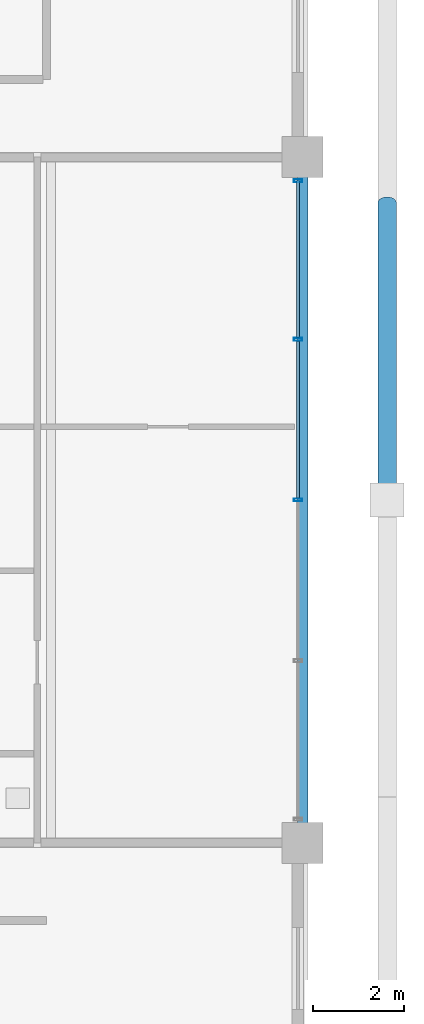
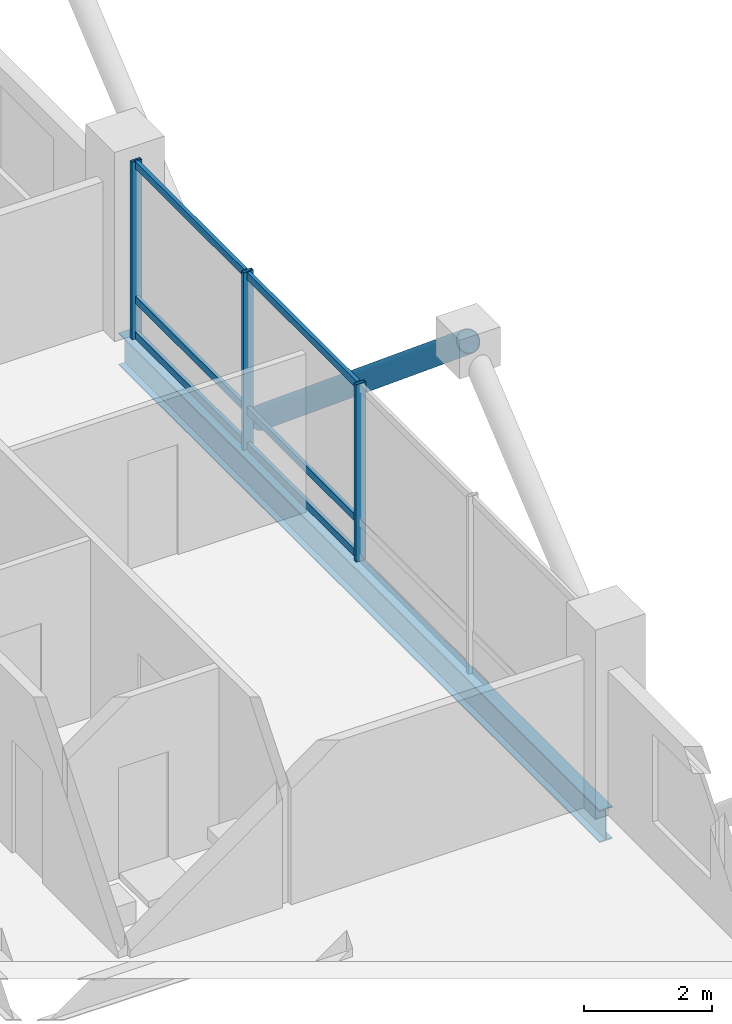
# One storey, part 12 of 23: 10 members, 1 beam, 1 element without a shape of its own.
"""IFC4 building model written with IfcOpenShell, lengths in metres."""

from ifc_helpers import new_model, si_unit, direction, frame, origin, origin_2d, place, context, subcontext, project, spatial, hollow_rectangle, hollow_circle, i_section, extrude, material, layer, layer_set, material_profile, profile_set, type_object, element, aggregate, save


model = new_model("IFC4")

# Units and contexts
model_context = context("Model", 3, precision=1e-05, world=origin(), true_north=direction((0.0, 1.0)))
body_context = subcontext(model_context, "Body", "Model", "MODEL_VIEW")
ifc_project = project(units=[si_unit("LENGTHUNIT", "METRE"), si_unit("AREAUNIT", "SQUARE_METRE"), si_unit("VOLUMEUNIT", "CUBIC_METRE"), si_unit("PLANEANGLEUNIT", "RADIAN"), si_unit("MASSUNIT", "GRAM", prefix="KILO")], contexts=[model_context])

# Site, building, storey
site_placement = place(None, origin())
site = spatial("IfcSite", under=ifc_project, at=site_placement, CompositionType="ELEMENT")
building_placement = place(site_placement, origin())
building = spatial("IfcBuilding", under=site, at=building_placement, Name="Barlavira Tower and Art Museum", CompositionType="ELEMENT")
storey_placement = place(building_placement, frame((0.0, 0.0, 247.5)))
storey = spatial("IfcBuildingStorey", under=building, at=storey_placement, Name="L64", CompositionType="ELEMENT", Elevation=247.5)

# Curtain wall, members
ifc_material_1 = material(Name="Low-iron coastal laminated glass", Category="glass")
ifc_layer = layer(ifc_material_1, 0.2099609375, Name="Low-iron coastal laminated glass")
ifc_layer_set = layer_set([ifc_layer], Name="Low-iron coastal laminated glass")
curtain_wall_type = type_object("IfcCurtainWallType", Name="Pale-Metal Unitised Curtain Wall Zone 4", PredefinedType="NOTDEFINED", material=ifc_layer_set)
curtain_wall_placement = place(storey_placement, origin())
curtain_wall = element("IfcCurtainWall", 1, at=curtain_wall_placement, inside=storey, type_object=curtain_wall_type, Name="L64 Curtain Wall CW4-L64-E-B3", PredefinedType="NOTDEFINED")
ifc_material_2 = material(Name="Pale anodised aluminium", Category="aluminium")
ifc_material_profile_1 = material_profile(ifc_material_2, hollow_rectangle(XDim=0.06494140625, YDim=0.179931640625, WallThickness=0.00390625, at=origin_2d()), Name="ALU-MULL 65x180x4")
ifc_profile_set_1 = profile_set([ifc_material_profile_1], Name="Pale anodised aluminium")
member_type_1 = type_object("IfcMemberType", Name="Curtain Wall Pale-Metal Mullion 65x180", PredefinedType="MULLION", material=ifc_profile_set_1)
member_1_placement = place(storey_placement, frame((16.89990234375, 0.0, 0.0), z_axis=(0.0, 0.0, 1.0), x_axis=(0.0, 1.0, 0.0)))
member_1 = element("IfcMember", 2, at=member_1_placement, type_object=member_type_1, Name="CW4-L64-E-B3 Mullion 2", PredefinedType="MULLION", context=body_context, shape_type="SweptSolid", body=[
    extrude(hollow_rectangle(XDim=0.06494140625, YDim=0.179931640625, WallThickness=0.00390625, at=origin_2d()), origin(), (0.0, 0.0, 1.0), 3.3798828125),
])
member_2_placement = place(storey_placement, frame((16.89990234375, 3.514892578125, 0.0), z_axis=(0.0, 0.0, 1.0), x_axis=(0.0, 1.0, 0.0)))
member_2 = element("IfcMember", 3, at=member_2_placement, type_object=member_type_1, Name="CW4-L64-E-B3 Mullion 3", PredefinedType="MULLION", context=body_context, shape_type="SweptSolid", body=[
    extrude(hollow_rectangle(XDim=0.06494140625, YDim=0.179931640625, WallThickness=0.00390625, at=origin_2d()), origin(), (0.0, 0.0, 1.0), 3.3798828125),
])
member_3_placement = place(storey_placement, frame((16.89990234375, 6.985107421875, 0.0), z_axis=(0.0, 0.0, 1.0), x_axis=(0.0, 1.0, 0.0)))
member_3 = element("IfcMember", 4, at=member_3_placement, type_object=member_type_1, Name="CW4-L64-E-B3 Mullion 4", PredefinedType="MULLION", context=body_context, shape_type="SweptSolid", body=[
    extrude(hollow_rectangle(XDim=0.06494140625, YDim=0.179931640625, WallThickness=0.00390625, at=origin_2d()), origin(), (0.0, 0.0, 1.0), 3.3798828125),
])
ifc_material_profile_2 = material_profile(ifc_material_2, hollow_rectangle(XDim=0.06494140625, YDim=0.139892578125, WallThickness=0.00390625, at=origin_2d()), Name="ALU-TRAN 65x140x4")
ifc_profile_set_2 = profile_set([ifc_material_profile_2], Name="Pale anodised aluminium")
member_type_2 = type_object("IfcMemberType", Name="Curtain Wall Pale-Metal Transom 65x140", PredefinedType="USERDEFINED", material=ifc_profile_set_2)
member_4_placement = place(storey_placement, frame((16.89990234375, 0.044921875, 0.070068359375), z_axis=(0.0, 1.0, 0.0), x_axis=(-1.0, 0.0, 0.0)))
member_4 = element("IfcMember", 5, at=member_4_placement, type_object=member_type_2, Name="CW4-L64-E-B3 Transom 2.1", ObjectType="TRANSOM", PredefinedType="USERDEFINED", context=body_context, shape_type="SweptSolid", body=[
    extrude(hollow_rectangle(XDim=0.06494140625, YDim=0.139892578125, WallThickness=0.00390625, at=origin_2d()), origin(), (0.0, 0.0, 1.0), 3.425048828125),
])
member_5_placement = place(storey_placement, frame((16.89990234375, 0.044921875, 0.743896484375), z_axis=(0.0, 1.0, 0.0), x_axis=(-1.0, 0.0, 0.0)))
member_5 = element("IfcMember", 6, at=member_5_placement, type_object=member_type_2, Name="CW4-L64-E-B3 Transom 2.2", ObjectType="TRANSOM", PredefinedType="USERDEFINED", context=body_context, shape_type="SweptSolid", body=[
    extrude(hollow_rectangle(XDim=0.06494140625, YDim=0.139892578125, WallThickness=0.00390625, at=origin_2d()), origin(), (0.0, 0.0, 1.0), 3.425048828125),
])
member_6_placement = place(storey_placement, frame((16.89990234375, 0.044921875, 3.31005859375), z_axis=(0.0, 1.0, 0.0), x_axis=(-1.0, 0.0, 0.0)))
member_6 = element("IfcMember", 7, at=member_6_placement, type_object=member_type_2, Name="CW4-L64-E-B3 Transom 2.3", ObjectType="TRANSOM", PredefinedType="USERDEFINED", context=body_context, shape_type="SweptSolid", body=[
    extrude(hollow_rectangle(XDim=0.06494140625, YDim=0.139892578125, WallThickness=0.00390625, at=origin_2d()), origin(), (0.0, 0.0, 1.0), 3.425048828125),
])
member_7_placement = place(storey_placement, frame((16.89990234375, 3.56005859375, 0.070068359375), z_axis=(0.0, 1.0, 0.0), x_axis=(-1.0, 0.0, 0.0)))
member_7 = element("IfcMember", 8, at=member_7_placement, type_object=member_type_2, Name="CW4-L64-E-B3 Transom 3.1", ObjectType="TRANSOM", PredefinedType="USERDEFINED", context=body_context, shape_type="SweptSolid", body=[
    extrude(hollow_rectangle(XDim=0.06494140625, YDim=0.139892578125, WallThickness=0.00390625, at=origin_2d()), origin(), (0.0, 0.0, 1.0), 3.425048828125),
])
member_8_placement = place(storey_placement, frame((16.89990234375, 3.56005859375, 0.743896484375), z_axis=(0.0, 1.0, 0.0), x_axis=(-1.0, 0.0, 0.0)))
member_8 = element("IfcMember", 9, at=member_8_placement, type_object=member_type_2, Name="CW4-L64-E-B3 Transom 3.2", ObjectType="TRANSOM", PredefinedType="USERDEFINED", context=body_context, shape_type="SweptSolid", body=[
    extrude(hollow_rectangle(XDim=0.06494140625, YDim=0.139892578125, WallThickness=0.00390625, at=origin_2d()), origin(), (0.0, 0.0, 1.0), 3.425048828125),
])
member_9_placement = place(storey_placement, frame((16.89990234375, 3.56005859375, 3.31005859375), z_axis=(0.0, 1.0, 0.0), x_axis=(-1.0, 0.0, 0.0)))
member_9 = element("IfcMember", 10, at=member_9_placement, type_object=member_type_2, Name="CW4-L64-E-B3 Transom 3.3", ObjectType="TRANSOM", PredefinedType="USERDEFINED", context=body_context, shape_type="SweptSolid", body=[
    extrude(hollow_rectangle(XDim=0.06494140625, YDim=0.139892578125, WallThickness=0.00390625, at=origin_2d()), origin(), (0.0, 0.0, 1.0), 3.425048828125),
])
aggregate(curtain_wall, [member_1, member_2, member_3, member_4, member_5, member_6, member_7, member_8, member_9])

# Member
ifc_material_3 = material(Name="Steel S355", Category="steel")
ifc_material_profile_3 = material_profile(ifc_material_3, hollow_circle(Radius=0.203125, WallThickness=0.01611328125, at=origin_2d()), Name="CHS 406.4x16.0")
ifc_profile_set_3 = profile_set([ifc_material_profile_3], Name="Steel S355")
member_type_3 = type_object("IfcMemberType", Name="Pale-Metal Exoskeleton Diagrid Tube CHS 406x16 Steel S355", PredefinedType="BRACE", material=ifc_profile_set_3)
member_10_placement = place(storey_placement, frame((18.85009765625, 6.5, -1.919921875), z_axis=(0.0, -0.769196053329, 0.639012857104), x_axis=(1.0, 0.0, 0.0)))
element("IfcMember", 11, at=member_10_placement, inside=storey, type_object=member_type_3, Name="L64 Exoskeleton Diagrid Tube E", PredefinedType="BRACE", context=body_context, shape_type="SweptSolid", body=[
    extrude(hollow_circle(Radius=0.203125, WallThickness=0.01611328125, at=origin_2d()), origin(), (0.0, 0.0, 1.0), 8.450439453125),
])

# Beam
ifc_material_profile_4 = material_profile(ifc_material_3, i_section(OverallWidth=0.22998046875, OverallDepth=0.616943359375, WebThickness=0.01318359375, FlangeThickness=0.022216796875, at=origin_2d()), Name="W610x140.0")
ifc_profile_set_4 = profile_set([ifc_material_profile_4], Name="Steel S355")
beam_type = type_object("IfcBeamType", Name="Upper Shaft Spandrel Edge Beam W610x140 Steel S355", PredefinedType="SPANDREL", material=ifc_profile_set_4)
beam_placement = place(storey_placement, frame((17.0, -7.5, -0.528564453125), z_axis=(0.0, 1.0, 0.0), x_axis=(-1.0, 0.0, 0.0)))
element("IfcBeam", 12, at=beam_placement, inside=storey, type_object=beam_type, Name="L64 Spandrel 6", PredefinedType="SPANDREL", context=body_context, shape_type="SweptSolid", body=[
    extrude(i_section(OverallWidth=0.22998046875, OverallDepth=0.616943359375, WebThickness=0.01318359375, FlangeThickness=0.022216796875, at=origin_2d()), origin(), (0.0, 0.0, 1.0), 15.0),
])

save(model, "model.ifc")
